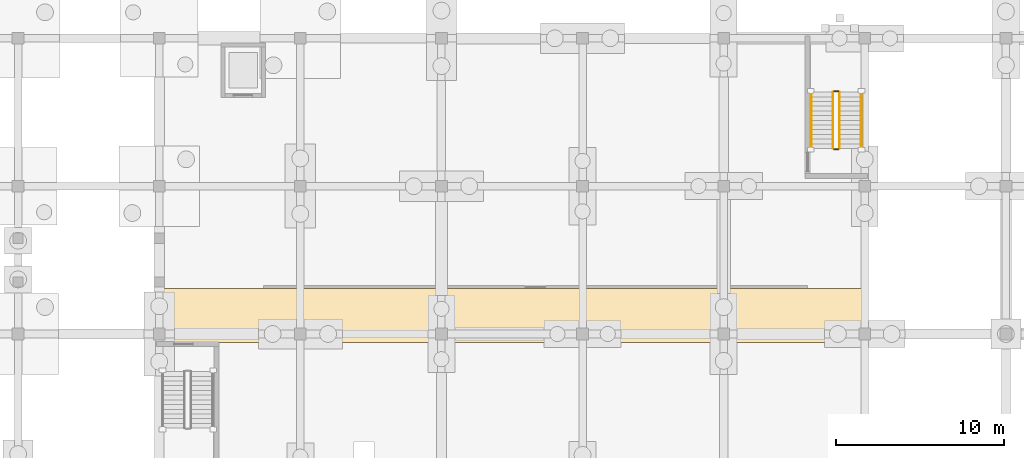
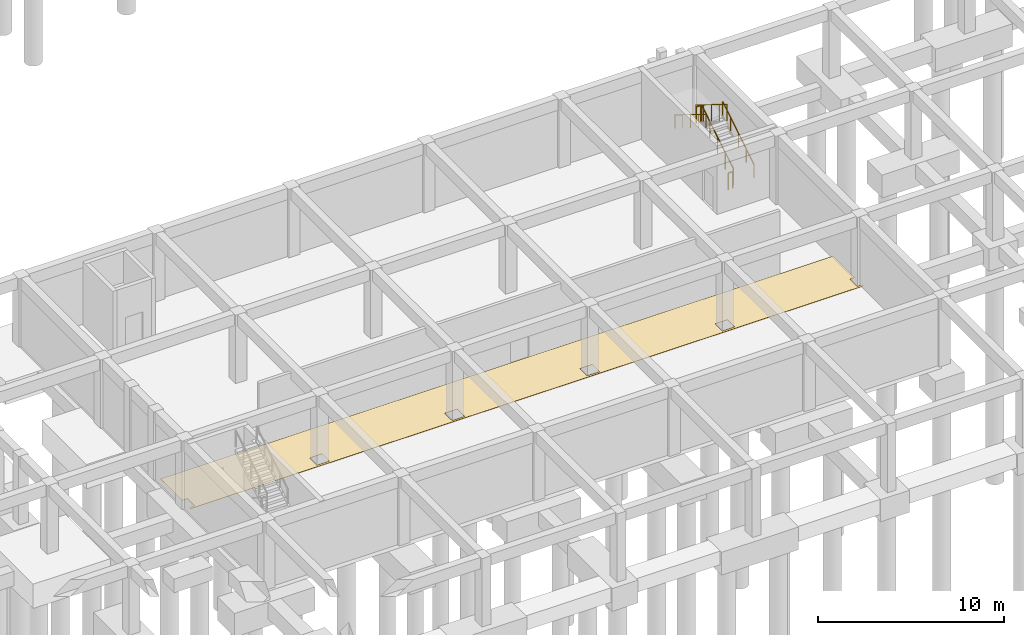
# One storey, part 33 of 41: 6 railings, 1 covering.
"""IFC4 building model written with IfcOpenShell, lengths in metres."""

from ifc_helpers import new_model, si_unit, direction, frame, origin, origin_2d, place, context, subcontext, project, spatial, polyline, circle, outline, extrude, material, layer, layer_set, type_object, element, save


model = new_model("IFC4")

# Units and contexts
model_context = context("Model", 3, precision=1e-05, world=origin(), true_north=direction((0.0, 1.0)))
body_context = subcontext(model_context, "Body", "Model", "MODEL_VIEW")
ifc_project = project(units=[si_unit("LENGTHUNIT", "METRE"), si_unit("AREAUNIT", "SQUARE_METRE"), si_unit("VOLUMEUNIT", "CUBIC_METRE"), si_unit("PLANEANGLEUNIT", "RADIAN"), si_unit("MASSUNIT", "GRAM", prefix="KILO")], contexts=[model_context])

# Site, building, storey
site_placement = place(None, origin())
site = spatial("IfcSite", under=ifc_project, at=site_placement, CompositionType="ELEMENT")
building_placement = place(site_placement, origin())
building = spatial("IfcBuilding", under=site, at=building_placement, Name="Kemercrest Conservatory and Botanical Centre", CompositionType="ELEMENT")
storey_placement = place(building_placement, frame((0.0, 0.0, -4.5)))
storey = spatial("IfcBuildingStorey", under=building, at=storey_placement, Name="B1", CompositionType="ELEMENT", Elevation=-4.5)

# Covering
ifc_material_1 = material(Name="Polished limestone terrazzo and seamless laboratory epoxy flooring", Category="masonry")
ifc_layer = layer(ifc_material_1, 0.02001953125)
ifc_layer_set = layer_set([ifc_layer], Name="Polished limestone terrazzo and seamless laboratory epoxy flooring")
covering_type = type_object("IfcCoveringType", Name="CV-FLR020", PredefinedType="FLOORING", material=ifc_layer_set)
covering_placement = place(storey_placement, origin())
element("IfcCovering", 1, at=covering_placement, inside=storey, type_object=covering_type, Name="Auditorium Basement Service Corridor terrazzo floor finish", PredefinedType="FLOORING", context=body_context, shape_type="SweptSolid", body=[
    extrude(outline(polyline([(58.7900390625, 25.2099609375), (58.47998046875, 25.2099609375), (58.47998046875, 25.080078125), (100.320068359375, 25.080078125), (100.320068359375, 25.2099609375), (100.010009765625, 25.2099609375), (100.010009765625, 25.989990234375), (100.320068359375, 25.989990234375), (100.320068359375, 28.320068359375), (58.47998046875, 28.320068359375), (58.47998046875, 25.989990234375), (58.7900390625, 25.989990234375), (58.7900390625, 25.2099609375)]), holes=[polyline([(91.610107421875, 25.2099609375), (91.610107421875, 25.989990234375), (92.389892578125, 25.989990234375), (92.389892578125, 25.2099609375), (91.610107421875, 25.2099609375)]), polyline([(83.2099609375, 25.2099609375), (83.2099609375, 25.989990234375), (83.989990234375, 25.989990234375), (83.989990234375, 25.2099609375), (83.2099609375, 25.2099609375)]), polyline([(74.81005859375, 25.2099609375), (74.81005859375, 25.989990234375), (75.590087890625, 25.989990234375), (75.590087890625, 25.2099609375), (74.81005859375, 25.2099609375)]), polyline([(66.409912109375, 25.2099609375), (66.409912109375, 25.989990234375), (67.18994140625, 25.989990234375), (67.18994140625, 25.2099609375), (66.409912109375, 25.2099609375)])]), origin(), (0.0, 0.0, 1.0), 0.02001953125),
])

# Railings
ifc_material_2 = material(Name="Painted galvanized steel tubular stair guardrail", Category="steel")
railing_type_1 = type_object("IfcRailingType", Name="GR-STR110", PredefinedType="GUARDRAIL", material=ifc_material_2)
railing_1_placement = place(storey_placement, frame((98.889892578125, 36.639892578125, 0.173095703125)))
element("IfcRailing", 2, at=railing_1_placement, inside=storey, type_object=railing_type_1, Name="B1 ST-V2B stair guard 1", PredefinedType="GUARDRAIL", context=body_context, shape_type="SweptSolid", body=[
    extrude(circle(Radius=0.02392578125, at=origin_2d()), frame((0.0, 0.0, 1.076171875), z_axis=(0.0, 0.850623216509, 0.525775754039), x_axis=(-1.0, 0.0, 0.0)), (0.0, 0.0, 1.0), 3.9501953125),
    extrude(circle(Radius=0.02099609375, at=origin_2d()), origin(), (0.0, 0.0, 1.0), 1.052001953125),
    extrude(circle(Radius=0.02099609375, at=origin_2d()), frame((0.0, 0.840087890625, 0.519287109375)), (0.0, 0.0, 1.0), 1.052001953125),
    extrude(circle(Radius=0.02099609375, at=origin_2d()), frame((0.0, 1.68017578125, 1.03857421875)), (0.0, 0.0, 1.0), 1.052001953125),
    extrude(circle(Radius=0.02099609375, at=origin_2d()), frame((0.0, 2.52001953125, 1.5576171875)), (0.0, 0.0, 1.0), 1.052001953125),
    extrude(circle(Radius=0.02099609375, at=origin_2d()), frame((0.0, 3.360107421875, 2.076904296875)), (0.0, 0.0, 1.0), 1.052001953125),
])
railing_2_placement = place(storey_placement, frame((98.840087890625, 40.050048828125, 2.25)))
element("IfcRailing", 3, at=railing_2_placement, inside=storey, type_object=railing_type_1, Name="B1 ST-V2B stair guard 2", PredefinedType="GUARDRAIL", context=body_context, shape_type="SweptSolid", body=[
    extrude(circle(Radius=0.02392578125, at=origin_2d()), frame((0.0, 0.0, 1.076171875), z_axis=(-1.0, 0.0, 0.0), x_axis=(0.0, -1.0, 0.0)), (0.0, 0.0, 1.0), 0.280029296875),
    extrude(circle(Radius=0.02099609375, at=origin_2d()), origin(), (0.0, 0.0, 1.0), 1.052001953125),
    extrude(circle(Radius=0.02099609375, at=origin_2d()), frame((-0.280029296875, 0.0, 0.0)), (0.0, 0.0, 1.0), 1.052001953125),
])
railing_3_placement = place(storey_placement, frame((98.510009765625, 40.0, 2.423095703125)))
element("IfcRailing", 4, at=railing_3_placement, inside=storey, type_object=railing_type_1, Name="B1 ST-V2B stair guard 3", PredefinedType="GUARDRAIL", context=body_context, shape_type="SweptSolid", body=[
    extrude(circle(Radius=0.02392578125, at=origin_2d()), frame((0.0, 0.0, 1.076171875), z_axis=(0.0, -0.850623216509, 0.525775754039), x_axis=(1.0, 0.0, 0.0)), (0.0, 0.0, 1.0), 3.9501953125),
    extrude(circle(Radius=0.02099609375, at=origin_2d()), origin(), (0.0, 0.0, 1.0), 1.052001953125),
    extrude(circle(Radius=0.02099609375, at=origin_2d()), frame((0.0, -0.840087890625, 0.519287109375)), (0.0, 0.0, 1.0), 1.052001953125),
    extrude(circle(Radius=0.02099609375, at=origin_2d()), frame((0.0, -1.68017578125, 1.03857421875)), (0.0, 0.0, 1.0), 1.052001953125),
    extrude(circle(Radius=0.02099609375, at=origin_2d()), frame((0.0, -2.52001953125, 1.5576171875)), (0.0, 0.0, 1.0), 1.052001953125),
    extrude(circle(Radius=0.02099609375, at=origin_2d()), frame((0.0, -3.360107421875, 2.076904296875)), (0.0, 0.0, 1.0), 1.052001953125),
])
railing_4_placement = place(storey_placement, frame((98.840087890625, 36.590087890625, 0.0)))
element("IfcRailing", 5, at=railing_4_placement, inside=storey, type_object=railing_type_1, Name="B1 ST-V2B stair guard 4", PredefinedType="GUARDRAIL", context=body_context, shape_type="SweptSolid", body=[
    extrude(circle(Radius=0.02392578125, at=origin_2d()), frame((0.0, 0.0, 1.076171875), z_axis=(-1.0, 0.0, 0.0), x_axis=(0.0, -1.0, 0.0)), (0.0, 0.0, 1.0), 0.280029296875),
    extrude(circle(Radius=0.02099609375, at=origin_2d()), origin(), (0.0, 0.0, 1.0), 1.052001953125),
    extrude(circle(Radius=0.02099609375, at=origin_2d()), frame((-0.280029296875, 0.0, 0.0)), (0.0, 0.0, 1.0), 1.052001953125),
])
ifc_material_3 = material(Name="Brushed stainless steel wall-mounted handrail", Category="steel")
railing_type_2 = type_object("IfcRailingType", Name="HR-STR090", PredefinedType="HANDRAIL", material=ifc_material_3)
railing_5_placement = place(storey_placement, frame((100.18994140625, 36.639892578125, 0.173095703125)))
element("IfcRailing", 6, at=railing_5_placement, inside=storey, type_object=railing_type_2, Name="B1 ST-V2B stair handrail 1", PredefinedType="HANDRAIL", context=body_context, shape_type="SweptSolid", body=[
    extrude(circle(Radius=0.02392578125, at=origin_2d()), frame((0.0, 0.0, 0.8759765625), z_axis=(0.0, 0.850623216509, 0.525775754039), x_axis=(-1.0, 0.0, 0.0)), (0.0, 0.0, 1.0), 3.9501953125),
    extrude(circle(Radius=0.02099609375, at=origin_2d()), origin(), (0.0, 0.0, 1.0), 0.851806640625),
    extrude(circle(Radius=0.02099609375, at=origin_2d()), frame((0.0, 0.840087890625, 0.519287109375)), (0.0, 0.0, 1.0), 0.851806640625),
    extrude(circle(Radius=0.02099609375, at=origin_2d()), frame((0.0, 1.68017578125, 1.03857421875)), (0.0, 0.0, 1.0), 0.851806640625),
    extrude(circle(Radius=0.02099609375, at=origin_2d()), frame((0.0, 2.52001953125, 1.5576171875)), (0.0, 0.0, 1.0), 0.851806640625),
    extrude(circle(Radius=0.02099609375, at=origin_2d()), frame((0.0, 3.360107421875, 2.076904296875)), (0.0, 0.0, 1.0), 0.851806640625),
])
railing_6_placement = place(storey_placement, frame((97.2099609375, 40.0, 2.423095703125)))
element("IfcRailing", 7, at=railing_6_placement, inside=storey, type_object=railing_type_2, Name="B1 ST-V2B stair handrail 2", PredefinedType="HANDRAIL", context=body_context, shape_type="SweptSolid", body=[
    extrude(circle(Radius=0.02392578125, at=origin_2d()), frame((0.0, 0.0, 0.8759765625), z_axis=(0.0, -0.850623216509, 0.525775754039), x_axis=(1.0, 0.0, 0.0)), (0.0, 0.0, 1.0), 3.9501953125),
    extrude(circle(Radius=0.02099609375, at=origin_2d()), origin(), (0.0, 0.0, 1.0), 0.851806640625),
    extrude(circle(Radius=0.02099609375, at=origin_2d()), frame((0.0, -0.840087890625, 0.519287109375)), (0.0, 0.0, 1.0), 0.851806640625),
    extrude(circle(Radius=0.02099609375, at=origin_2d()), frame((0.0, -1.68017578125, 1.03857421875)), (0.0, 0.0, 1.0), 0.851806640625),
    extrude(circle(Radius=0.02099609375, at=origin_2d()), frame((0.0, -2.52001953125, 1.5576171875)), (0.0, 0.0, 1.0), 0.851806640625),
    extrude(circle(Radius=0.02099609375, at=origin_2d()), frame((0.0, -3.360107421875, 2.076904296875)), (0.0, 0.0, 1.0), 0.851806640625),
])

save(model, "model.ifc")
